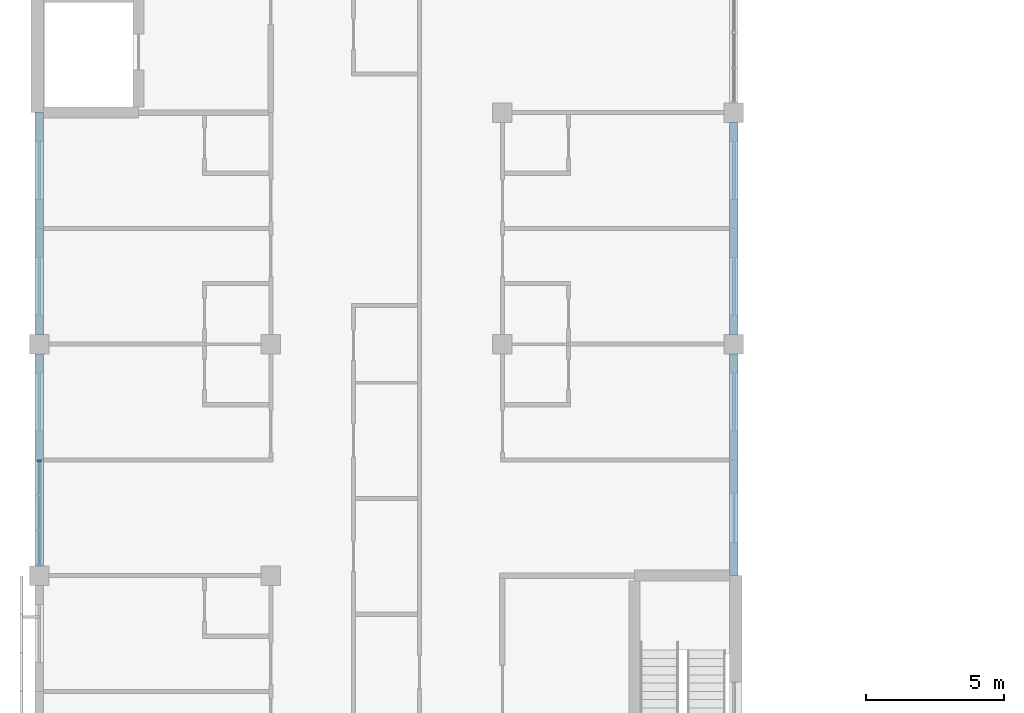
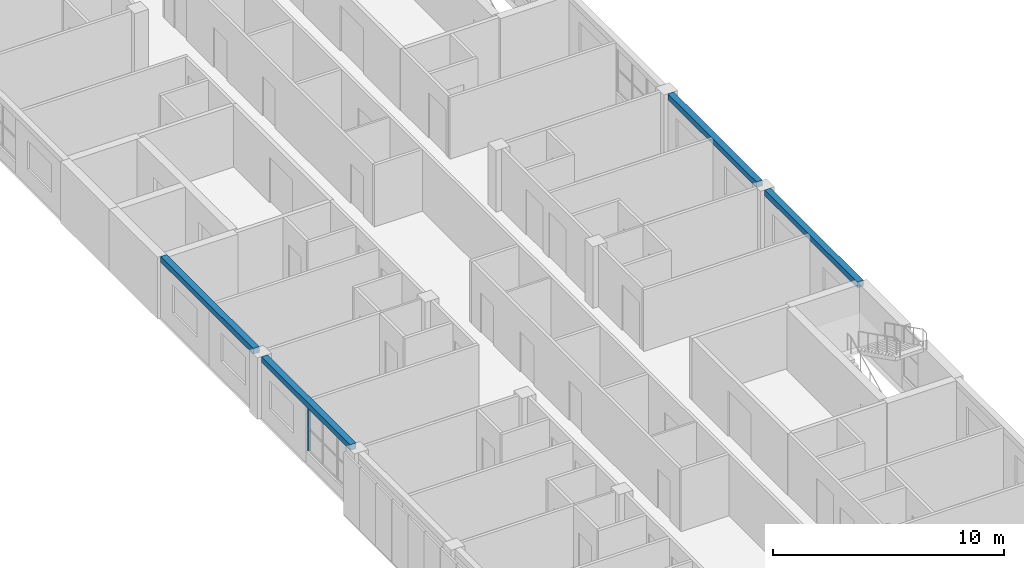
# One storey, part 8 of 46: 4 beams, 1 member, 1 element without a shape of its own.
"""IFC4 building model written with IfcOpenShell, lengths in metres."""

from ifc_helpers import new_model, si_unit, direction, frame, origin, origin_2d, place, context, subcontext, project, spatial, rectangle, extrude, material, material_profile, profile_set, type_object, element, aggregate, save


model = new_model("IFC4")

# Units and contexts
model_context = context("Model", 3, precision=1e-05, world=origin(), true_north=direction((0.0, 1.0)))
body_context = subcontext(model_context, "Body", "Model", "MODEL_VIEW")
ifc_project = project(units=[si_unit("LENGTHUNIT", "METRE"), si_unit("AREAUNIT", "SQUARE_METRE"), si_unit("VOLUMEUNIT", "CUBIC_METRE"), si_unit("PLANEANGLEUNIT", "RADIAN"), si_unit("MASSUNIT", "GRAM", prefix="KILO")], contexts=[model_context])

# Site, building, storey
site_placement = place(None, origin())
site = spatial("IfcSite", under=ifc_project, at=site_placement, CompositionType="ELEMENT")
building_placement = place(site_placement, origin())
building = spatial("IfcBuilding", under=site, at=building_placement, Name="Yavir Park General Hospital", CompositionType="ELEMENT")
storey_placement = place(building_placement, frame((0.0, 0.0, 18.89990234375)))
storey = spatial("IfcBuildingStorey", under=building, at=storey_placement, Name="L04", CompositionType="ELEMENT", Elevation=18.89990234375)

# Curtain wall, member
ifc_material_1 = material(Name="Aluminium curtain wall frame with insulated glazing", Category="aluminium")
curtain_wall_type = type_object("IfcCurtainWallType", Name="Day room pocket glazing, ward floors, 2360 high, 1400 module", PredefinedType="NOTDEFINED", material=ifc_material_1)
curtain_wall_placement = place(storey_placement, origin())
curtain_wall = element("IfcCurtainWall", 1, at=curtain_wall_placement, inside=storey, type_object=curtain_wall_type, Name="CW6 L04-018", PredefinedType="NOTDEFINED")
ifc_material_2 = material(Name="Aluminium", Category="aluminium")
ifc_material_profile_1 = material_profile(ifc_material_2, rectangle(XDim=0.139892578125, YDim=0.06005859375, at=origin_2d()), Name="AL 60x140")
ifc_profile_set_1 = profile_set([ifc_material_profile_1], Name="Aluminium")
member_type = type_object("IfcMemberType", Name="Day room pocket glazing, ward floors, 2360 high mullion 60 x 140", PredefinedType="MULLION", material=ifc_profile_set_1)
member_placement = place(storey_placement, frame((0.0, 54.570068359375, 0.60009765625), z_axis=(0.0, 0.0, 1.0), x_axis=(-1.0, 0.0, 0.0)))
member = element("IfcMember", 2, at=member_placement, type_object=member_type, Name="CW6 mullion 4", PredefinedType="MULLION", context=body_context, shape_type="SweptSolid", body=[
    extrude(rectangle(XDim=0.139892578125, YDim=0.06005859375, at=origin_2d()), origin(), (0.0, 0.0, 1.0), 2.360107421875),
])
aggregate(curtain_wall, [member])

# Beams
ifc_material_3 = material(Name="Concrete C35/45", Category="concrete")
ifc_material_profile_2 = material_profile(ifc_material_3, rectangle(XDim=0.300048828125, YDim=0.300048828125, at=origin_2d()), Name="RC300x300")
ifc_profile_set_2 = profile_set([ifc_material_profile_2], Name="Concrete C35/45")
beam_type = type_object("IfcBeamType", Name="RC BEAM 300x300 edge beam", PredefinedType="BEAM", material=ifc_profile_set_2)
beam_1_placement = place(storey_placement, frame((0.0, 50.75, 3.110107421875), z_axis=(0.0, 1.0, 0.0), x_axis=(-1.0, 0.0, 0.0)))
element("IfcBeam", 3, at=beam_1_placement, inside=storey, type_object=beam_type, Name="B:EDGE:L04:021", PredefinedType="BEAM", context=body_context, shape_type="SweptSolid", body=[
    extrude(rectangle(XDim=0.300048828125, YDim=0.300048828125, at=origin_2d()), origin(), (0.0, 0.0, 1.0), 7.699951171875),
])
for number, where, z_axis, x_axis, name in (
    (4, (0.0, 59.14990234375, 3.110107421875), (0.0, 1.0, 0.0), (-1.0, 0.0, 0.0), "B:EDGE:L04:022"),
    (5, (25.199951171875, 50.39990234375, 3.110107421875), (0.0, 1.0, 0.0), (-1.0, 0.0, 0.0), "B:EDGE:L04:029"),
):
    element("IfcBeam", number, at=place(storey_placement, frame(where, z_axis=z_axis, x_axis=x_axis)), inside=storey, type_object=beam_type, Name=name, PredefinedType="BEAM", context=body_context, shape_type="SweptSolid", body=[
        extrude(rectangle(XDim=0.300048828125, YDim=0.300048828125, at=origin_2d()), origin(), (0.0, 0.0, 1.0), 8.050048828125),
    ])
beam_2_placement = place(storey_placement, frame((25.199951171875, 59.14990234375, 3.110107421875), z_axis=(0.0, 1.0, 0.0), x_axis=(-1.0, 0.0, 0.0)))
element("IfcBeam", 6, at=beam_2_placement, inside=storey, type_object=beam_type, Name="B:EDGE:L04:030", PredefinedType="BEAM", context=body_context, shape_type="SweptSolid", body=[
    extrude(rectangle(XDim=0.300048828125, YDim=0.300048828125, at=origin_2d()), origin(), (0.0, 0.0, 1.0), 7.7001953125),
])

save(model, "model.ifc")
